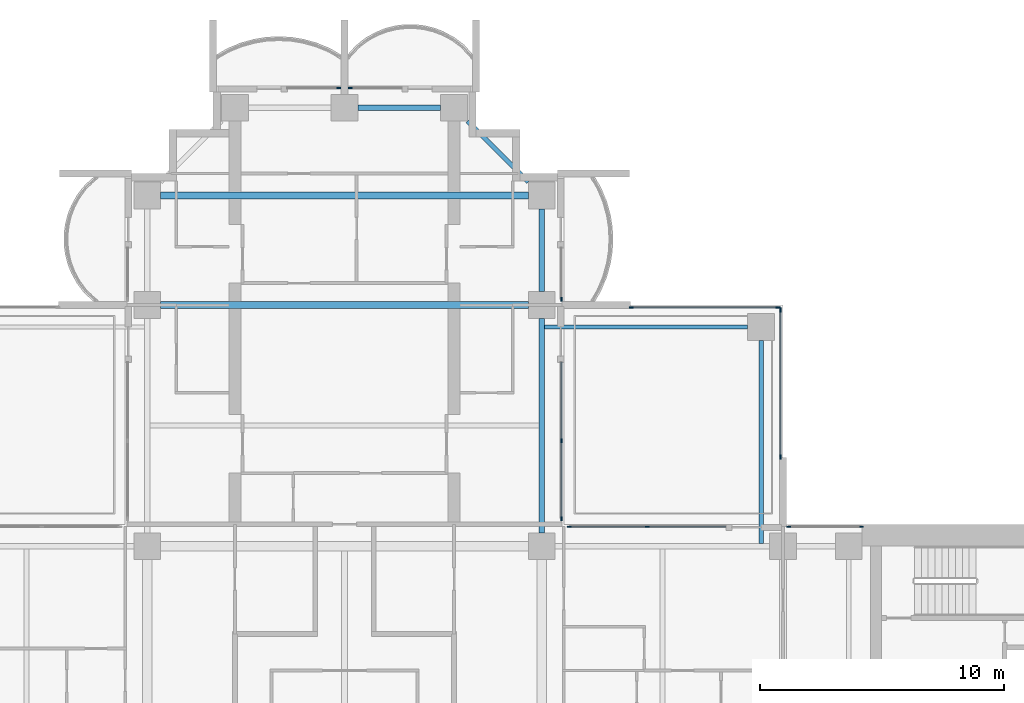
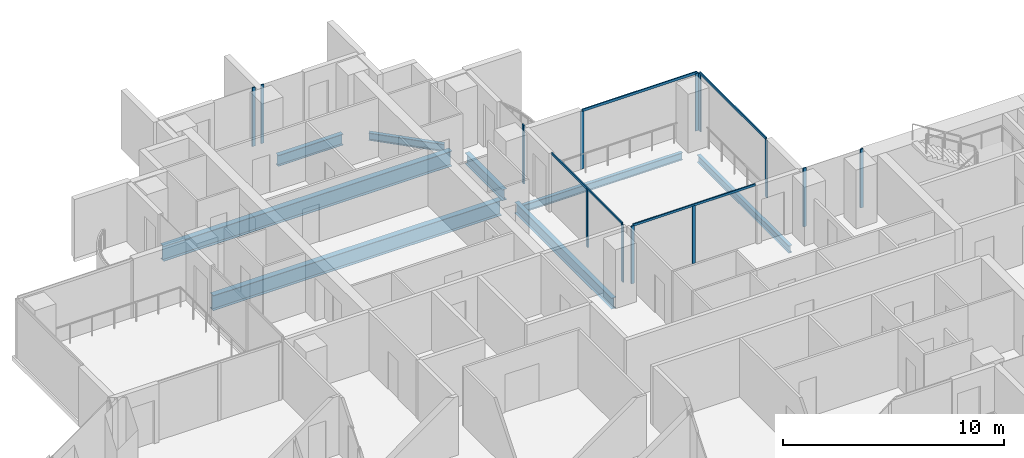
# One storey, part 6 of 19: 17 members, 8 beams, 8 elements without a shape of their own.
"""IFC4 building model written with IfcOpenShell, lengths in metres."""

from ifc_helpers import new_model, si_unit, direction, frame, origin, origin_2d, place, context, subcontext, project, spatial, rectangle, i_section, extrude, material, material_profile, profile_set, type_object, element, aggregate, save


model = new_model("IFC4")

# Units and contexts
model_context = context("Model", 3, precision=1e-05, world=origin(), true_north=direction((0.0, 1.0)))
body_context = subcontext(model_context, "Body", "Model", "MODEL_VIEW")
ifc_project = project(units=[si_unit("LENGTHUNIT", "METRE"), si_unit("AREAUNIT", "SQUARE_METRE"), si_unit("VOLUMEUNIT", "CUBIC_METRE"), si_unit("PLANEANGLEUNIT", "RADIAN"), si_unit("MASSUNIT", "GRAM", prefix="KILO")], contexts=[model_context])

# Site, building, storey
site_placement = place(None, origin())
site = spatial("IfcSite", under=ifc_project, at=site_placement, CompositionType="ELEMENT")
building_placement = place(site_placement, origin())
building = spatial("IfcBuilding", under=site, at=building_placement, Name="Perihelion Cross Residences", CompositionType="ELEMENT")
storey_placement = place(building_placement, frame((0.0, 0.0, 144.39990234375)))
storey = spatial("IfcBuildingStorey", under=building, at=storey_placement, Name="L35", CompositionType="ELEMENT", Elevation=144.39990234375)

# Curtain wall, members
ifc_material_1 = material(Name="Bronze anodised aluminium, tinted glazing", Category="aluminium")
curtain_wall_type_1 = type_object("IfcCurtainWallType", Name="CW1", PredefinedType="NOTDEFINED", material=ifc_material_1)
curtain_wall_1_placement = place(storey_placement, origin())
curtain_wall_1 = element("IfcCurtainWall", 1, at=curtain_wall_1_placement, inside=storey, type_object=curtain_wall_type_1, Name="Curtain wall CW1 L35 east side north bay 1", PredefinedType="NOTDEFINED")
ifc_material_2 = material(Name="Bronze anodised aluminium", Category="aluminium")
ifc_material_profile_1 = material_profile(ifc_material_2, rectangle(XDim=0.06005859375, YDim=0.159912109375, at=origin_2d()), Name="CW1 mullion")
ifc_profile_set_1 = profile_set([ifc_material_profile_1], Name="Bronze anodised aluminium")
member_type_1 = type_object("IfcMemberType", Name="CW1 mullion", PredefinedType="MULLION", material=ifc_profile_set_1)
member_1_placement = place(storey_placement, frame((21.219970703125, 8.89990234375, 0.0), z_axis=(0.0, 0.0, 1.0), x_axis=(0.0, -1.0, 0.0)))
member_1 = element("IfcMember", 2, at=member_1_placement, type_object=member_type_1, Name="CW1 mullion 1", PredefinedType="MULLION", context=body_context, shape_type="SweptSolid", body=[
    extrude(rectangle(XDim=0.06005859375, YDim=0.159912109375, at=origin_2d()), origin(), (0.0, 0.0, 1.0), 3.25),
])
member_2_placement = place(storey_placement, frame((18.22998046875, 8.89990234375, 0.0), z_axis=(0.0, 0.0, 1.0), x_axis=(0.0, -1.0, 0.0)))
member_2 = element("IfcMember", 3, at=member_2_placement, type_object=member_type_1, Name="CW1 mullion 2", PredefinedType="MULLION", context=body_context, shape_type="SweptSolid", body=[
    extrude(rectangle(XDim=0.06005859375, YDim=0.159912109375, at=origin_2d()), origin(), (0.0, 0.0, 1.0), 3.25),
])
aggregate(curtain_wall_1, [member_1, member_2])

curtain_wall_2_placement = place(storey_placement, origin())
curtain_wall_2 = element("IfcCurtainWall", 4, at=curtain_wall_2_placement, inside=storey, type_object=curtain_wall_type_1, Name="Curtain wall CW1 L35 east side north bay 2", PredefinedType="NOTDEFINED")
member_3_placement = place(storey_placement, frame((12.425048828125, 8.89990234375, 0.0), z_axis=(0.0, 0.0, 1.0), x_axis=(0.0, -1.0, 0.0)))
member_3 = element("IfcMember", 5, at=member_3_placement, type_object=member_type_1, Name="CW1 mullion 2", PredefinedType="MULLION", context=body_context, shape_type="SweptSolid", body=[
    extrude(rectangle(XDim=0.06005859375, YDim=0.159912109375, at=origin_2d()), origin(), (0.0, 0.0, 1.0), 3.190185546875),
])
member_4_placement = place(storey_placement, frame((9.22998046875, 8.89990234375, 0.0), z_axis=(0.0, 0.0, 1.0), x_axis=(0.0, -1.0, 0.0)))
member_4 = element("IfcMember", 6, at=member_4_placement, type_object=member_type_1, Name="CW1 mullion 3", PredefinedType="MULLION", context=body_context, shape_type="SweptSolid", body=[
    extrude(rectangle(XDim=0.06005859375, YDim=0.159912109375, at=origin_2d()), origin(), (0.0, 0.0, 1.0), 3.190185546875),
])

curtain_wall_3_placement = place(storey_placement, origin())
curtain_wall_3 = element("IfcCurtainWall", 7, at=curtain_wall_3_placement, inside=storey, type_object=curtain_wall_type_1, Name="Curtain wall CW1 L35 north side east bay 1", PredefinedType="NOTDEFINED")
member_5_placement = place(storey_placement, frame((8.89990234375, 9.22998046875, 0.0), z_axis=(0.0, 0.0, 1.0), x_axis=(-1.0, 0.0, 0.0)))
member_5 = element("IfcMember", 8, at=member_5_placement, type_object=member_type_1, Name="CW1 mullion 1", PredefinedType="MULLION", context=body_context, shape_type="SweptSolid", body=[
    extrude(rectangle(XDim=0.06005859375, YDim=0.159912109375, at=origin_2d()), origin(), (0.0, 0.0, 1.0), 3.190185546875),
])
member_6_placement = place(storey_placement, frame((8.89990234375, 12.425048828125, 0.0), z_axis=(0.0, 0.0, 1.0), x_axis=(-1.0, 0.0, 0.0)))
member_6 = element("IfcMember", 9, at=member_6_placement, type_object=member_type_1, Name="CW1 mullion 2", PredefinedType="MULLION", context=body_context, shape_type="SweptSolid", body=[
    extrude(rectangle(XDim=0.06005859375, YDim=0.159912109375, at=origin_2d()), origin(), (0.0, 0.0, 1.0), 3.190185546875),
])

# Curtain wall, member
curtain_wall_4_placement = place(storey_placement, origin())
curtain_wall_4 = element("IfcCurtainWall", 10, at=curtain_wall_4_placement, inside=storey, type_object=curtain_wall_type_1, Name="Curtain wall CW1 L35 north side east bay 2", PredefinedType="NOTDEFINED")
member_7_placement = place(storey_placement, frame((8.89990234375, 18.22998046875, 0.0), z_axis=(0.0, 0.0, 1.0), x_axis=(-1.0, 0.0, 0.0)))
member_7 = element("IfcMember", 11, at=member_7_placement, type_object=member_type_1, Name="CW1 mullion 1", PredefinedType="MULLION", context=body_context, shape_type="SweptSolid", body=[
    extrude(rectangle(XDim=0.06005859375, YDim=0.159912109375, at=origin_2d()), origin(), (0.0, 0.0, 1.0), 3.25),
])
aggregate(curtain_wall_4, [member_7])

curtain_wall_5_placement = place(storey_placement, origin())
curtain_wall_5 = element("IfcCurtainWall", 12, at=curtain_wall_5_placement, inside=storey, type_object=curtain_wall_type_1, Name="Curtain wall CW1 L35 north tip north bay 1", PredefinedType="NOTDEFINED")
member_8_placement = place(storey_placement, frame((0.22998046875, 26.89990234375, 0.0), z_axis=(0.0, 0.0, 1.0), x_axis=(0.0, -1.0, 0.0)))
member_8 = element("IfcMember", 13, at=member_8_placement, type_object=member_type_1, Name="CW1 mullion 2", PredefinedType="MULLION", context=body_context, shape_type="SweptSolid", body=[
    extrude(rectangle(XDim=0.06005859375, YDim=0.159912109375, at=origin_2d()), origin(), (0.0, 0.0, 1.0), 3.25),
])
aggregate(curtain_wall_5, [member_8])

curtain_wall_6_placement = place(storey_placement, origin())
curtain_wall_6 = element("IfcCurtainWall", 14, at=curtain_wall_6_placement, inside=storey, type_object=curtain_wall_type_1, Name="Curtain wall CW1 L35 north tip north bay 2", PredefinedType="NOTDEFINED")
member_9_placement = place(storey_placement, frame((-0.22998046875, 26.89990234375, 0.0), z_axis=(0.0, 0.0, 1.0), x_axis=(0.0, -1.0, 0.0)))
member_9 = element("IfcMember", 15, at=member_9_placement, type_object=member_type_1, Name="CW1 mullion 1", PredefinedType="MULLION", context=body_context, shape_type="SweptSolid", body=[
    extrude(rectangle(XDim=0.06005859375, YDim=0.159912109375, at=origin_2d()), origin(), (0.0, 0.0, 1.0), 3.25),
])
aggregate(curtain_wall_6, [member_9])

# Member
ifc_material_3 = material(Name="Bronze anodised aluminium", Category="aluminium")
ifc_material_profile_2 = material_profile(ifc_material_3, rectangle(XDim=0.06005859375, YDim=0.1201171875, at=origin_2d()), Name="CW1 transom")
ifc_profile_set_2 = profile_set([ifc_material_profile_2], Name="Bronze anodised aluminium")
member_type_2 = type_object("IfcMemberType", Name="CW1 transom", PredefinedType="USERDEFINED", material=ifc_profile_set_2)
member_10_placement = place(storey_placement, frame((15.64990234375, 8.89990234375, 3.22021484375), z_axis=(-1.0, 0.0, 0.0), x_axis=(0.0, -1.0, 0.0)))
member_10 = element("IfcMember", 16, at=member_10_placement, type_object=member_type_2, Name="CW1 head transom", ObjectType="TRANSOM", PredefinedType="USERDEFINED", context=body_context, shape_type="SweptSolid", body=[
    extrude(rectangle(XDim=0.06005859375, YDim=0.1201171875, at=origin_2d()), origin(), (0.0, 0.0, 1.0), 6.419921875),
])

aggregate(curtain_wall_2, [member_3, member_4, member_10])

member_11_placement = place(storey_placement, frame((8.89990234375, 9.22998046875, 3.22021484375), z_axis=(0.0, 1.0, 0.0), x_axis=(-1.0, 0.0, 0.0)))
member_11 = element("IfcMember", 17, at=member_11_placement, type_object=member_type_2, Name="CW1 head transom", ObjectType="TRANSOM", PredefinedType="USERDEFINED", context=body_context, shape_type="SweptSolid", body=[
    extrude(rectangle(XDim=0.06005859375, YDim=0.1201171875, at=origin_2d()), origin(), (0.0, 0.0, 1.0), 6.419921875),
])

aggregate(curtain_wall_3, [member_5, member_6, member_11])

# Curtain wall, members
ifc_material_4 = material(Name="Bronze anodised aluminium, tinted glazing", Category="aluminium")
curtain_wall_type_2 = type_object("IfcCurtainWallType", Name="CW4", PredefinedType="NOTDEFINED", material=ifc_material_4)
curtain_wall_7_placement = place(storey_placement, origin())
curtain_wall_7 = element("IfcCurtainWall", 18, at=curtain_wall_7_placement, inside=storey, type_object=curtain_wall_type_2, Name="Curtain wall CW4 L35 pocket north-east 1 1", PredefinedType="NOTDEFINED")
ifc_material_5 = material(Name="Bronze anodised aluminium", Category="aluminium")
ifc_material_profile_3 = material_profile(ifc_material_5, rectangle(XDim=0.06005859375, YDim=0.179931640625, at=origin_2d()), Name="CW4 mullion")
ifc_profile_set_3 = profile_set([ifc_material_profile_3], Name="Bronze anodised aluminium")
member_type_3 = type_object("IfcMemberType", Name="CW4 mullion", PredefinedType="MULLION", material=ifc_profile_set_3)
member_12_placement = place(storey_placement, frame((11.77001953125, 17.89990234375, 0.0), z_axis=(0.0, 0.0, 1.0), x_axis=(0.0, 1.0, 0.0)))
member_12 = element("IfcMember", 19, at=member_12_placement, type_object=member_type_3, Name="CW4 mullion 1", PredefinedType="MULLION", context=body_context, shape_type="SweptSolid", body=[
    extrude(rectangle(XDim=0.06005859375, YDim=0.179931640625, at=origin_2d()), origin(), (0.0, 0.0, 1.0), 3.190185546875),
])
member_13_placement = place(storey_placement, frame((17.800048828125, 17.89990234375, 0.0), z_axis=(0.0, 0.0, 1.0), x_axis=(0.0, 1.0, 0.0)))
member_13 = element("IfcMember", 20, at=member_13_placement, type_object=member_type_3, Name="CW4 mullion 2", PredefinedType="MULLION", context=body_context, shape_type="SweptSolid", body=[
    extrude(rectangle(XDim=0.06005859375, YDim=0.179931640625, at=origin_2d()), origin(), (0.0, 0.0, 1.0), 3.190185546875),
])

curtain_wall_8_placement = place(storey_placement, origin())
curtain_wall_8 = element("IfcCurtainWall", 21, at=curtain_wall_8_placement, inside=storey, type_object=curtain_wall_type_2, Name="Curtain wall CW4 L35 pocket north-east 1 2", PredefinedType="NOTDEFINED")
member_14_placement = place(storey_placement, frame((17.89990234375, 17.800048828125, 0.0), z_axis=(0.0, 0.0, 1.0), x_axis=(1.0, 0.0, 0.0)))
member_14 = element("IfcMember", 22, at=member_14_placement, type_object=member_type_3, Name="CW4 mullion 1", PredefinedType="MULLION", context=body_context, shape_type="SweptSolid", body=[
    extrude(rectangle(XDim=0.06005859375, YDim=0.179931640625, at=origin_2d()), origin(), (0.0, 0.0, 1.0), 3.190185546875),
])
member_15_placement = place(storey_placement, frame((17.89990234375, 11.77001953125, 0.0), z_axis=(0.0, 0.0, 1.0), x_axis=(1.0, 0.0, 0.0)))
member_15 = element("IfcMember", 23, at=member_15_placement, type_object=member_type_3, Name="CW4 mullion 2", PredefinedType="MULLION", context=body_context, shape_type="SweptSolid", body=[
    extrude(rectangle(XDim=0.06005859375, YDim=0.179931640625, at=origin_2d()), origin(), (0.0, 0.0, 1.0), 3.190185546875),
])

# Member
ifc_material_6 = material(Name="Bronze anodised aluminium", Category="aluminium")
ifc_material_profile_4 = material_profile(ifc_material_6, rectangle(XDim=0.06005859375, YDim=0.139892578125, at=origin_2d()), Name="CW4 transom")
ifc_profile_set_4 = profile_set([ifc_material_profile_4], Name="Bronze anodised aluminium")
member_type_4 = type_object("IfcMemberType", Name="CW4 transom", PredefinedType="USERDEFINED", material=ifc_profile_set_4)
member_16_placement = place(storey_placement, frame((11.77001953125, 17.89990234375, 3.22021484375), z_axis=(1.0, 0.0, 0.0), x_axis=(0.0, 1.0, 0.0)))
member_16 = element("IfcMember", 24, at=member_16_placement, type_object=member_type_4, Name="CW4 head transom", ObjectType="TRANSOM", PredefinedType="USERDEFINED", context=body_context, shape_type="SweptSolid", body=[
    extrude(rectangle(XDim=0.06005859375, YDim=0.139892578125, at=origin_2d()), origin(), (0.0, 0.0, 1.0), 6.030029296875),
])

aggregate(curtain_wall_7, [member_12, member_13, member_16])

member_17_placement = place(storey_placement, frame((17.89990234375, 17.800048828125, 3.22021484375), z_axis=(0.0, -1.0, 0.0), x_axis=(1.0, 0.0, 0.0)))
member_17 = element("IfcMember", 25, at=member_17_placement, type_object=member_type_4, Name="CW4 head transom", ObjectType="TRANSOM", PredefinedType="USERDEFINED", context=body_context, shape_type="SweptSolid", body=[
    extrude(rectangle(XDim=0.06005859375, YDim=0.139892578125, at=origin_2d()), origin(), (0.0, 0.0, 1.0), 6.030029296875),
])

aggregate(curtain_wall_8, [member_14, member_15, member_17])

# Beams
ifc_material_7 = material(Name="Steel S355", Category="steel")
ifc_material_profile_5 = material_profile(ifc_material_7, i_section(OverallWidth=0.177978515625, OverallDepth=0.406005859375, WebThickness=0.0078125, FlangeThickness=0.0126953125, at=origin_2d()), Name="W410x60")
ifc_profile_set_5 = profile_set([ifc_material_profile_5], Name="Steel S355")
beam_type_1 = type_object("IfcBeamType", Name="Core edge beam W410x60", PredefinedType="BEAM", material=ifc_profile_set_5)
for number, where, z_axis, x_axis, name in (
    (26, (17.10009765625, 8.214599609375, -0.452880859375), (0.0, 1.0, 0.0), (-1.0, 0.0, 0.0), "Core edge beam TB2 L35 corner no. 7"),
    (27, (8.214599609375, 17.10009765625, -0.452880859375), (1.0, 0.0, 0.0), (0.0, 1.0, 0.0), "Core edge beam TB2 L35 corner no. 8"),
):
    element("IfcBeam", number, at=place(storey_placement, frame(where, z_axis=z_axis, x_axis=x_axis)), inside=storey, type_object=beam_type_1, Name=name, PredefinedType="BEAM", context=body_context, shape_type="SweptSolid", body=[
        extrude(i_section(OverallWidth=0.177978515625, OverallDepth=0.406005859375, WebThickness=0.0078125, FlangeThickness=0.0126953125, at=origin_2d()), origin(), (0.0, 0.0, 1.0), 8.33544921875),
    ])
ifc_material_8 = material(Name="Steel S355", Category="steel")
ifc_material_profile_6 = material_profile(ifc_material_8, i_section(OverallWidth=0.22900390625, OverallDepth=0.612060546875, WebThickness=0.011962890625, FlangeThickness=0.01953125, at=origin_2d()), Name="W610x125")
ifc_profile_set_6 = profile_set([ifc_material_profile_6], Name="Steel S355")
beam_type_2 = type_object("IfcBeamType", Name="Edge beam W610x125", PredefinedType="SPANDREL", material=ifc_profile_set_6)
beam_1_placement = place(storey_placement, frame((8.10009765625, 8.64990234375, -0.555908203125), z_axis=(0.0, 1.0, 0.0), x_axis=(-1.0, 0.0, 0.0)))
element("IfcBeam", 28, at=beam_1_placement, inside=storey, type_object=beam_type_2, Name="Edge beam SB3 L35 no. 18", PredefinedType="SPANDREL", context=body_context, shape_type="SweptSolid", body=[
    extrude(i_section(OverallWidth=0.22900390625, OverallDepth=0.612060546875, WebThickness=0.011962890625, FlangeThickness=0.01953125, at=origin_2d()), origin(), (0.0, 0.0, 1.0), 8.800048828125),
])
for number, where, z_axis, x_axis, name in (
    (29, (8.10009765625, 18.550048828125, -0.555908203125), (0.0, 1.0, 0.0), (-1.0, 0.0, 0.0), "Edge beam SB3 L35 no. 17"),
    (30, (3.949951171875, 26.10009765625, -0.555908203125), (-1.0, 0.0, 0.0), (0.0, -1.0, 0.0), "Edge beam SB3 L35 no. 14"),
):
    element("IfcBeam", number, at=place(storey_placement, frame(where, z_axis=z_axis, x_axis=x_axis)), inside=storey, type_object=beam_type_2, Name=name, PredefinedType="SPANDREL", context=body_context, shape_type="SweptSolid", body=[
        extrude(i_section(OverallWidth=0.22900390625, OverallDepth=0.612060546875, WebThickness=0.011962890625, FlangeThickness=0.01953125, at=origin_2d()), origin(), (0.0, 0.0, 1.0), 3.39990234375),
    ])
ifc_material_9 = material(Name="Steel S355", Category="steel")
ifc_material_profile_7 = material_profile(ifc_material_9, i_section(OverallWidth=0.2919921875, OverallDepth=0.8359375, WebThickness=0.013916015625, FlangeThickness=0.018798828125, at=origin_2d()), Name="W840x176")
ifc_profile_set_7 = profile_set([ifc_material_profile_7], Name="Steel S355")
beam_type_3 = type_object("IfcBeamType", Name="Floor girder W840x176", PredefinedType="BEAM", material=ifc_profile_set_7)
for number, where, z_axis, x_axis, name in (
    (31, (-7.550048828125, 18.0, -0.66796875), (1.0, 0.0, 0.0), (0.0, 1.0, 0.0), "Girder G3 L35 no. 4"),
    (32, (-7.550048828125, 22.5, -0.66796875), (1.0, 0.0, 0.0), (0.0, 1.0, 0.0), "Girder G3 L35 no. 5"),
):
    element("IfcBeam", number, at=place(storey_placement, frame(where, z_axis=z_axis, x_axis=x_axis)), inside=storey, type_object=beam_type_3, Name=name, PredefinedType="BEAM", context=body_context, shape_type="SweptSolid", body=[
        extrude(i_section(OverallWidth=0.2919921875, OverallDepth=0.8359375, WebThickness=0.013916015625, FlangeThickness=0.018798828125, at=origin_2d()), origin(), (0.0, 0.0, 1.0), 15.10009765625),
    ])
ifc_material_10 = material(Name="Steel S355", Category="steel")
ifc_material_profile_8 = material_profile(ifc_material_10, i_section(OverallWidth=0.180908203125, OverallDepth=0.4169921875, WebThickness=0.010986328125, FlangeThickness=0.018310546875, at=origin_2d()), Name="W410x85")
ifc_profile_set_8 = profile_set([ifc_material_profile_8], Name="Steel S355")
beam_type_4 = type_object("IfcBeamType", Name="Serration edge beam W410x85", PredefinedType="BEAM", material=ifc_profile_set_8)
beam_2_placement = place(storey_placement, frame((7.550048828125, 23.050048828125, -0.45849609375), z_axis=(-0.707106781187, 0.707106781187, 0.0), x_axis=(-0.707106781187, -0.707106781187, 0.0)))
element("IfcBeam", 33, at=beam_2_placement, inside=storey, type_object=beam_type_4, Name="Serration edge beam EB3 L35 no. 4", PredefinedType="BEAM", context=body_context, shape_type="SweptSolid", body=[
    extrude(i_section(OverallWidth=0.180908203125, OverallDepth=0.4169921875, WebThickness=0.010986328125, FlangeThickness=0.018310546875, at=origin_2d()), origin(), (0.0, 0.0, 1.0), 3.53564453125),
])

save(model, "model.ifc")
